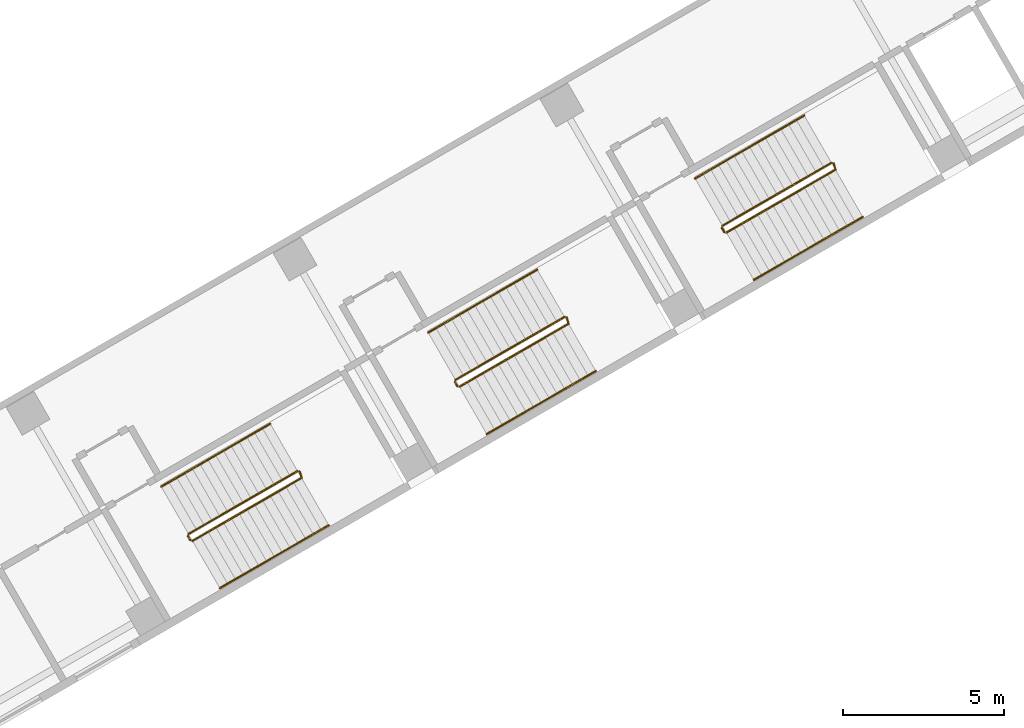
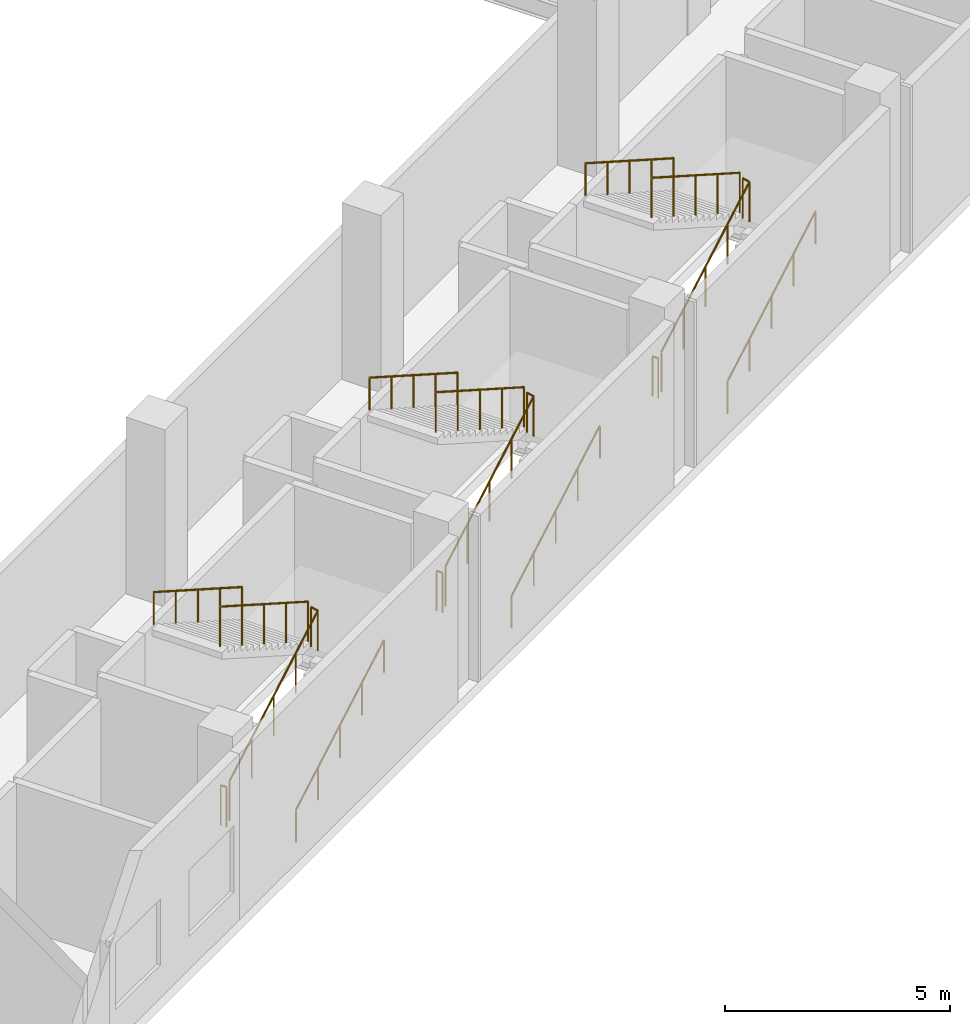
# One storey, part 27 of 28: 15 railings.
"""IFC4 building model written with IfcOpenShell, lengths in metres."""

from ifc_helpers import new_model, si_unit, direction, frame, origin, origin_2d, place, context, subcontext, project, spatial, circle, extrude, material, type_object, element, save


model = new_model("IFC4")

# Units and contexts
model_context = context("Model", 3, precision=1e-05, world=origin(), true_north=direction((0.0, 1.0)))
body_context = subcontext(model_context, "Body", "Model", "MODEL_VIEW")
ifc_project = project(units=[si_unit("LENGTHUNIT", "METRE"), si_unit("AREAUNIT", "SQUARE_METRE"), si_unit("VOLUMEUNIT", "CUBIC_METRE"), si_unit("PLANEANGLEUNIT", "RADIAN"), si_unit("MASSUNIT", "GRAM", prefix="KILO")], contexts=[model_context])

# Site, building, storey
site_placement = place(None, origin())
site = spatial("IfcSite", under=ifc_project, at=site_placement, CompositionType="ELEMENT")
building_placement = place(site_placement, origin())
building = spatial("IfcBuilding", under=site, at=building_placement, Name="Mestral Congress Tower", CompositionType="ELEMENT")
storey_placement = place(building_placement, frame((0.0, 0.0, 11.39990234375)))
storey = spatial("IfcBuildingStorey", under=building, at=storey_placement, Name="L02", CompositionType="ELEMENT", Elevation=11.39990234375)

# Railings
ifc_material_1 = material(Name="Steel balustrade", Category="steel")
railing_type_1 = type_object("IfcRailingType", Name="Podium stair guard 1100", PredefinedType="GUARDRAIL", material=ifc_material_1)
railing_1_placement = place(storey_placement, frame((51.889892578125, -13.919921875, 0.16015625)))
element("IfcRailing", 1, at=railing_1_placement, inside=storey, type_object=railing_type_1, Name="L02 PS-E1 stair guard 1", PredefinedType="GUARDRAIL", context=body_context, shape_type="SweptSolid", body=[
    extrude(circle(Radius=0.02392578125, at=origin_2d()), frame((0.0, 0.0, 1.076171875), z_axis=(0.751919994781, 0.434118210579, 0.496142822878), x_axis=(-0.499997407846, 0.86602690036, 0.0)), (0.0, 0.0, 1.0), 4.514892578125),
    extrude(circle(Radius=0.02392578125, at=origin_2d()), frame((3.394775390625, 1.9599609375, 3.31591796875), z_axis=(-0.274721127897, 0.961523947641, 0.0), x_axis=(-0.961523947641, -0.274721127897, 0.0)), (0.0, 0.0, 1.0), 0.2060546875),
    extrude(circle(Radius=0.02099609375, at=origin_2d()), origin(), (0.0, 0.0, 1.0), 1.052001953125),
    extrude(circle(Radius=0.02099609375, at=origin_2d()), frame((0.8486328125, 0.489990234375, 0.56005859375)), (0.0, 0.0, 1.0), 1.052001953125),
    extrude(circle(Radius=0.02099609375, at=origin_2d()), frame((1.697265625, 0.97998046875, 1.1201171875)), (0.0, 0.0, 1.0), 1.052001953125),
    extrude(circle(Radius=0.02099609375, at=origin_2d()), frame((2.546142578125, 1.469970703125, 1.679931640625)), (0.0, 0.0, 1.0), 1.052001953125),
    extrude(circle(Radius=0.02099609375, at=origin_2d()), frame((3.394775390625, 1.9599609375, 2.239990234375)), (0.0, 0.0, 1.0), 1.052001953125),
    extrude(circle(Radius=0.02099609375, at=origin_2d()), frame((3.338134765625, 2.158203125, 2.239990234375)), (0.0, 0.0, 1.0), 1.052001953125),
])
railing_2_placement = place(storey_placement, frame((55.15966796875, -11.743408203125, 2.56005859375)))
element("IfcRailing", 2, at=railing_2_placement, inside=storey, type_object=railing_type_1, Name="L02 PS-E1 stair guard 2", PredefinedType="GUARDRAIL", context=body_context, shape_type="SweptSolid", body=[
    extrude(circle(Radius=0.02392578125, at=origin_2d()), frame((0.0, 0.0, 1.076171875), z_axis=(-0.751919994781, -0.434118210579, 0.496142822878), x_axis=(0.499997407846, -0.86602690036, 0.0)), (0.0, 0.0, 1.0), 4.514892578125),
    extrude(circle(Radius=0.02099609375, at=origin_2d()), origin(), (0.0, 0.0, 1.0), 1.052001953125),
    extrude(circle(Radius=0.02099609375, at=origin_2d()), frame((-0.8486328125, -0.489990234375, 0.56005859375)), (0.0, 0.0, 1.0), 1.052001953125),
    extrude(circle(Radius=0.02099609375, at=origin_2d()), frame((-1.697265625, -0.97998046875, 1.1201171875)), (0.0, 0.0, 1.0), 1.052001953125),
    extrude(circle(Radius=0.02099609375, at=origin_2d()), frame((-2.546142578125, -1.469970703125, 1.679931640625)), (0.0, 0.0, 1.0), 1.052001953125),
    extrude(circle(Radius=0.02099609375, at=origin_2d()), frame((-3.394775390625, -1.9599609375, 2.239990234375)), (0.0, 0.0, 1.0), 1.052001953125),
])
railing_3_placement = place(storey_placement, frame((51.821533203125, -13.901611328125, 0.0)))
element("IfcRailing", 3, at=railing_3_placement, inside=storey, type_object=railing_type_1, Name="L02 PS-E1 stair guard 3", PredefinedType="GUARDRAIL", context=body_context, shape_type="SweptSolid", body=[
    extrude(circle(Radius=0.02392578125, at=origin_2d()), frame((0.0, 0.0, 1.076171875), z_axis=(-0.499816412211, 0.866131372301, 0.0), x_axis=(-0.866131372301, -0.499816412211, 0.0)), (0.0, 0.0, 1.0), 0.14990234375),
    extrude(circle(Radius=0.02099609375, at=origin_2d()), origin(), (0.0, 0.0, 1.0), 1.052001953125),
    extrude(circle(Radius=0.02099609375, at=origin_2d()), frame((-0.074951171875, 0.1298828125, 0.0)), (0.0, 0.0, 1.0), 1.052001953125),
])
railing_4_placement = place(storey_placement, frame((60.203857421875, -9.119873046875, 0.16015625)))
element("IfcRailing", 4, at=railing_4_placement, inside=storey, type_object=railing_type_1, Name="L02 PS-E2 stair guard 1", PredefinedType="GUARDRAIL", context=body_context, shape_type="SweptSolid", body=[
    extrude(circle(Radius=0.02392578125, at=origin_2d()), frame((0.0, 0.0, 1.076171875), z_axis=(0.751919994781, 0.434118210579, 0.496142822878), x_axis=(-0.499997407846, 0.86602690036, 0.0)), (0.0, 0.0, 1.0), 4.514892578125),
    extrude(circle(Radius=0.02392578125, at=origin_2d()), frame((3.394775390625, 1.9599609375, 3.31591796875), z_axis=(-0.275815366736, 0.96121063429, 0.0), x_axis=(-0.96121063429, -0.275815366736, 0.0)), (0.0, 0.0, 1.0), 0.206298828125),
    extrude(circle(Radius=0.02099609375, at=origin_2d()), origin(), (0.0, 0.0, 1.0), 1.052001953125),
    extrude(circle(Radius=0.02099609375, at=origin_2d()), frame((0.8486328125, 0.489990234375, 0.56005859375)), (0.0, 0.0, 1.0), 1.052001953125),
    extrude(circle(Radius=0.02099609375, at=origin_2d()), frame((1.697265625, 0.97998046875, 1.1201171875)), (0.0, 0.0, 1.0), 1.052001953125),
    extrude(circle(Radius=0.02099609375, at=origin_2d()), frame((2.546142578125, 1.469970703125, 1.679931640625)), (0.0, 0.0, 1.0), 1.052001953125),
    extrude(circle(Radius=0.02099609375, at=origin_2d()), frame((3.394775390625, 1.9599609375, 2.239990234375)), (0.0, 0.0, 1.0), 1.052001953125),
    extrude(circle(Radius=0.02099609375, at=origin_2d()), frame((3.337890625, 2.158203125, 2.239990234375)), (0.0, 0.0, 1.0), 1.052001953125),
])
railing_5_placement = place(storey_placement, frame((63.4736328125, -6.943359375, 2.56005859375)))
element("IfcRailing", 5, at=railing_5_placement, inside=storey, type_object=railing_type_1, Name="L02 PS-E2 stair guard 2", PredefinedType="GUARDRAIL", context=body_context, shape_type="SweptSolid", body=[
    extrude(circle(Radius=0.02392578125, at=origin_2d()), frame((0.0, 0.0, 1.076171875), z_axis=(-0.751902342857, -0.434162093549, 0.496131175528), x_axis=(0.500044117093, -0.865999931271, 0.0)), (0.0, 0.0, 1.0), 4.514892578125),
    extrude(circle(Radius=0.02099609375, at=origin_2d()), origin(), (0.0, 0.0, 1.0), 1.052001953125),
    extrude(circle(Radius=0.02099609375, at=origin_2d()), frame((-0.8486328125, -0.489990234375, 0.56005859375)), (0.0, 0.0, 1.0), 1.052001953125),
    extrude(circle(Radius=0.02099609375, at=origin_2d()), frame((-1.697265625, -0.97998046875, 1.1201171875)), (0.0, 0.0, 1.0), 1.052001953125),
    extrude(circle(Radius=0.02099609375, at=origin_2d()), frame((-2.546142578125, -1.47021484375, 1.679931640625)), (0.0, 0.0, 1.0), 1.052001953125),
    extrude(circle(Radius=0.02099609375, at=origin_2d()), frame((-3.394775390625, -1.960205078125, 2.239990234375)), (0.0, 0.0, 1.0), 1.052001953125),
])
railing_6_placement = place(storey_placement, frame((60.135498046875, -9.1015625, 0.0)))
element("IfcRailing", 6, at=railing_6_placement, inside=storey, type_object=railing_type_1, Name="L02 PS-E2 stair guard 3", PredefinedType="GUARDRAIL", context=body_context, shape_type="SweptSolid", body=[
    extrude(circle(Radius=0.02392578125, at=origin_2d()), frame((0.0, 0.0, 1.076171875), z_axis=(-0.499816412211, 0.866131372301, 0.0), x_axis=(-0.866131372301, -0.499816412211, 0.0)), (0.0, 0.0, 1.0), 0.14990234375),
    extrude(circle(Radius=0.02099609375, at=origin_2d()), origin(), (0.0, 0.0, 1.0), 1.052001953125),
    extrude(circle(Radius=0.02099609375, at=origin_2d()), frame((-0.074951171875, 0.1298828125, 0.0)), (0.0, 0.0, 1.0), 1.052001953125),
])
railing_7_placement = place(storey_placement, frame((68.517578125, -4.320068359375, 0.16015625)))
element("IfcRailing", 7, at=railing_7_placement, inside=storey, type_object=railing_type_1, Name="L02 PS-E3 stair guard 1", PredefinedType="GUARDRAIL", context=body_context, shape_type="SweptSolid", body=[
    extrude(circle(Radius=0.02392578125, at=origin_2d()), frame((0.0, 0.0, 1.076171875), z_axis=(0.751902342857, 0.434162093549, 0.496131175528), x_axis=(-0.500044117093, 0.865999931271, 0.0)), (0.0, 0.0, 1.0), 4.514892578125),
    extrude(circle(Radius=0.02392578125, at=origin_2d()), frame((3.394775390625, 1.960205078125, 3.31591796875), z_axis=(-0.275034262293, 0.961434425515, 0.0), x_axis=(-0.961434425515, -0.275034262293, 0.0)), (0.0, 0.0, 1.0), 0.2060546875),
    extrude(circle(Radius=0.02099609375, at=origin_2d()), origin(), (0.0, 0.0, 1.0), 1.052001953125),
    extrude(circle(Radius=0.02099609375, at=origin_2d()), frame((0.8486328125, 0.489990234375, 0.56005859375)), (0.0, 0.0, 1.0), 1.052001953125),
    extrude(circle(Radius=0.02099609375, at=origin_2d()), frame((1.697265625, 0.97998046875, 1.1201171875)), (0.0, 0.0, 1.0), 1.052001953125),
    extrude(circle(Radius=0.02099609375, at=origin_2d()), frame((2.546142578125, 1.47021484375, 1.679931640625)), (0.0, 0.0, 1.0), 1.052001953125),
    extrude(circle(Radius=0.02099609375, at=origin_2d()), frame((3.394775390625, 1.960205078125, 2.239990234375)), (0.0, 0.0, 1.0), 1.052001953125),
    extrude(circle(Radius=0.02099609375, at=origin_2d()), frame((3.338134765625, 2.158203125, 2.239990234375)), (0.0, 0.0, 1.0), 1.052001953125),
])
railing_8_placement = place(storey_placement, frame((71.787353515625, -2.1435546875, 2.56005859375)))
element("IfcRailing", 8, at=railing_8_placement, inside=storey, type_object=railing_type_1, Name="L02 PS-E3 stair guard 2", PredefinedType="GUARDRAIL", context=body_context, shape_type="SweptSolid", body=[
    extrude(circle(Radius=0.02392578125, at=origin_2d()), frame((0.0, 0.0, 1.076171875), z_axis=(-0.751919994781, -0.434118210579, 0.496142822878), x_axis=(0.499997407846, -0.86602690036, 0.0)), (0.0, 0.0, 1.0), 4.514892578125),
    extrude(circle(Radius=0.02099609375, at=origin_2d()), origin(), (0.0, 0.0, 1.0), 1.052001953125),
    extrude(circle(Radius=0.02099609375, at=origin_2d()), frame((-0.8486328125, -0.489990234375, 0.56005859375)), (0.0, 0.0, 1.0), 1.052001953125),
    extrude(circle(Radius=0.02099609375, at=origin_2d()), frame((-1.697265625, -0.97998046875, 1.1201171875)), (0.0, 0.0, 1.0), 1.052001953125),
    extrude(circle(Radius=0.02099609375, at=origin_2d()), frame((-2.546142578125, -1.469970703125, 1.679931640625)), (0.0, 0.0, 1.0), 1.052001953125),
    extrude(circle(Radius=0.02099609375, at=origin_2d()), frame((-3.394775390625, -1.9599609375, 2.239990234375)), (0.0, 0.0, 1.0), 1.052001953125),
])
railing_9_placement = place(storey_placement, frame((68.44921875, -4.3017578125, 0.0)))
element("IfcRailing", 9, at=railing_9_placement, inside=storey, type_object=railing_type_1, Name="L02 PS-E3 stair guard 3", PredefinedType="GUARDRAIL", context=body_context, shape_type="SweptSolid", body=[
    extrude(circle(Radius=0.02392578125, at=origin_2d()), frame((0.0, 0.0, 1.076171875), z_axis=(-0.499112439033, 0.866537231285, 0.0), x_axis=(-0.866537231285, -0.499112439033, 0.0)), (0.0, 0.0, 1.0), 0.150146484375),
    extrude(circle(Radius=0.02099609375, at=origin_2d()), origin(), (0.0, 0.0, 1.0), 1.052001953125),
    extrude(circle(Radius=0.02099609375, at=origin_2d()), frame((-0.074951171875, 0.130126953125, 0.0)), (0.0, 0.0, 1.0), 1.052001953125),
])
ifc_material_2 = material(Name="Steel handrail", Category="steel")
railing_type_2 = type_object("IfcRailingType", Name="Podium stair handrail 900", PredefinedType="HANDRAIL", material=ifc_material_2)
railing_10_placement = place(storey_placement, frame((52.739990234375, -15.39208984375, 0.16015625)))
element("IfcRailing", 10, at=railing_10_placement, inside=storey, type_object=railing_type_2, Name="L02 PS-E1 stair handrail 1", PredefinedType="HANDRAIL", context=body_context, shape_type="SweptSolid", body=[
    extrude(circle(Radius=0.02392578125, at=origin_2d()), frame((0.0, 0.0, 0.8759765625), z_axis=(0.751919994781, 0.434118210579, 0.496142822878), x_axis=(-0.499997407846, 0.86602690036, 0.0)), (0.0, 0.0, 1.0), 4.514892578125),
    extrude(circle(Radius=0.02099609375, at=origin_2d()), origin(), (0.0, 0.0, 1.0), 0.851806640625),
    extrude(circle(Radius=0.02099609375, at=origin_2d()), frame((0.8486328125, 0.489990234375, 0.56005859375)), (0.0, 0.0, 1.0), 0.851806640625),
    extrude(circle(Radius=0.02099609375, at=origin_2d()), frame((1.697265625, 0.97998046875, 1.1201171875)), (0.0, 0.0, 1.0), 0.851806640625),
    extrude(circle(Radius=0.02099609375, at=origin_2d()), frame((2.546142578125, 1.469970703125, 1.679931640625)), (0.0, 0.0, 1.0), 0.851806640625),
    extrude(circle(Radius=0.02099609375, at=origin_2d()), frame((3.394775390625, 1.9599609375, 2.239990234375)), (0.0, 0.0, 1.0), 0.851806640625),
])
railing_11_placement = place(storey_placement, frame((54.309814453125, -10.271240234375, 2.56005859375)))
element("IfcRailing", 11, at=railing_11_placement, inside=storey, type_object=railing_type_2, Name="L02 PS-E1 stair handrail 2", PredefinedType="HANDRAIL", context=body_context, shape_type="SweptSolid", body=[
    extrude(circle(Radius=0.02392578125, at=origin_2d()), frame((0.0, 0.0, 0.8759765625), z_axis=(-0.751919994781, -0.434118210579, 0.496142822878), x_axis=(0.499997407846, -0.86602690036, 0.0)), (0.0, 0.0, 1.0), 4.514892578125),
    extrude(circle(Radius=0.02099609375, at=origin_2d()), origin(), (0.0, 0.0, 1.0), 0.851806640625),
    extrude(circle(Radius=0.02099609375, at=origin_2d()), frame((-0.8486328125, -0.489990234375, 0.56005859375)), (0.0, 0.0, 1.0), 0.851806640625),
    extrude(circle(Radius=0.02099609375, at=origin_2d()), frame((-1.697265625, -0.97998046875, 1.1201171875)), (0.0, 0.0, 1.0), 0.851806640625),
    extrude(circle(Radius=0.02099609375, at=origin_2d()), frame((-2.546142578125, -1.469970703125, 1.679931640625)), (0.0, 0.0, 1.0), 0.851806640625),
    extrude(circle(Radius=0.02099609375, at=origin_2d()), frame((-3.394775390625, -1.9599609375, 2.239990234375)), (0.0, 0.0, 1.0), 0.851806640625),
])
railing_12_placement = place(storey_placement, frame((61.0537109375, -10.59228515625, 0.16015625)))
element("IfcRailing", 12, at=railing_12_placement, inside=storey, type_object=railing_type_2, Name="L02 PS-E2 stair handrail 1", PredefinedType="HANDRAIL", context=body_context, shape_type="SweptSolid", body=[
    extrude(circle(Radius=0.02392578125, at=origin_2d()), frame((0.0, 0.0, 0.8759765625), z_axis=(0.751902342857, 0.434162093549, 0.496131175528), x_axis=(-0.500044117093, 0.865999931271, 0.0)), (0.0, 0.0, 1.0), 4.514892578125),
    extrude(circle(Radius=0.02099609375, at=origin_2d()), origin(), (0.0, 0.0, 1.0), 0.851806640625),
    extrude(circle(Radius=0.02099609375, at=origin_2d()), frame((0.8486328125, 0.489990234375, 0.56005859375)), (0.0, 0.0, 1.0), 0.851806640625),
    extrude(circle(Radius=0.02099609375, at=origin_2d()), frame((1.697265625, 0.97998046875, 1.1201171875)), (0.0, 0.0, 1.0), 0.851806640625),
    extrude(circle(Radius=0.02099609375, at=origin_2d()), frame((2.546142578125, 1.47021484375, 1.679931640625)), (0.0, 0.0, 1.0), 0.851806640625),
    extrude(circle(Radius=0.02099609375, at=origin_2d()), frame((3.394775390625, 1.960205078125, 2.239990234375)), (0.0, 0.0, 1.0), 0.851806640625),
])
railing_13_placement = place(storey_placement, frame((62.62353515625, -5.47119140625, 2.56005859375)))
element("IfcRailing", 13, at=railing_13_placement, inside=storey, type_object=railing_type_2, Name="L02 PS-E2 stair handrail 2", PredefinedType="HANDRAIL", context=body_context, shape_type="SweptSolid", body=[
    extrude(circle(Radius=0.02392578125, at=origin_2d()), frame((0.0, 0.0, 0.8759765625), z_axis=(-0.751919994781, -0.434118210579, 0.496142822878), x_axis=(0.499997407846, -0.86602690036, 0.0)), (0.0, 0.0, 1.0), 4.514892578125),
    extrude(circle(Radius=0.02099609375, at=origin_2d()), origin(), (0.0, 0.0, 1.0), 0.851806640625),
    extrude(circle(Radius=0.02099609375, at=origin_2d()), frame((-0.8486328125, -0.489990234375, 0.56005859375)), (0.0, 0.0, 1.0), 0.851806640625),
    extrude(circle(Radius=0.02099609375, at=origin_2d()), frame((-1.697265625, -0.97998046875, 1.1201171875)), (0.0, 0.0, 1.0), 0.851806640625),
    extrude(circle(Radius=0.02099609375, at=origin_2d()), frame((-2.546142578125, -1.469970703125, 1.679931640625)), (0.0, 0.0, 1.0), 0.851806640625),
    extrude(circle(Radius=0.02099609375, at=origin_2d()), frame((-3.394775390625, -1.9599609375, 2.239990234375)), (0.0, 0.0, 1.0), 0.851806640625),
])
railing_14_placement = place(storey_placement, frame((69.367431640625, -5.792236328125, 0.16015625)))
element("IfcRailing", 14, at=railing_14_placement, inside=storey, type_object=railing_type_2, Name="L02 PS-E3 stair handrail 1", PredefinedType="HANDRAIL", context=body_context, shape_type="SweptSolid", body=[
    extrude(circle(Radius=0.02392578125, at=origin_2d()), frame((0.0, 0.0, 0.8759765625), z_axis=(0.751943495447, 0.434100559575, 0.496122649988), x_axis=(-0.499970440388, 0.866042469362, 0.0)), (0.0, 0.0, 1.0), 4.514892578125),
    extrude(circle(Radius=0.02099609375, at=origin_2d()), origin(), (0.0, 0.0, 1.0), 0.851806640625),
    extrude(circle(Radius=0.02099609375, at=origin_2d()), frame((0.8486328125, 0.489990234375, 0.56005859375)), (0.0, 0.0, 1.0), 0.851806640625),
    extrude(circle(Radius=0.02099609375, at=origin_2d()), frame((1.697509765625, 0.97998046875, 1.1201171875)), (0.0, 0.0, 1.0), 0.851806640625),
    extrude(circle(Radius=0.02099609375, at=origin_2d()), frame((2.54638671875, 1.469970703125, 1.679931640625)), (0.0, 0.0, 1.0), 0.851806640625),
    extrude(circle(Radius=0.02099609375, at=origin_2d()), frame((3.39501953125, 1.9599609375, 2.239990234375)), (0.0, 0.0, 1.0), 0.851806640625),
])
railing_15_placement = place(storey_placement, frame((70.937255859375, -0.671142578125, 2.56005859375)))
element("IfcRailing", 15, at=railing_15_placement, inside=storey, type_object=railing_type_2, Name="L02 PS-E3 stair handrail 2", PredefinedType="HANDRAIL", context=body_context, shape_type="SweptSolid", body=[
    extrude(circle(Radius=0.02392578125, at=origin_2d()), frame((0.0, 0.0, 0.8759765625), z_axis=(-0.751919994781, -0.434118210579, 0.496142822878), x_axis=(0.499997407846, -0.86602690036, 0.0)), (0.0, 0.0, 1.0), 4.514892578125),
    extrude(circle(Radius=0.02099609375, at=origin_2d()), origin(), (0.0, 0.0, 1.0), 0.851806640625),
    extrude(circle(Radius=0.02099609375, at=origin_2d()), frame((-0.8486328125, -0.489990234375, 0.56005859375)), (0.0, 0.0, 1.0), 0.851806640625),
    extrude(circle(Radius=0.02099609375, at=origin_2d()), frame((-1.697265625, -0.97998046875, 1.1201171875)), (0.0, 0.0, 1.0), 0.851806640625),
    extrude(circle(Radius=0.02099609375, at=origin_2d()), frame((-2.546142578125, -1.469970703125, 1.679931640625)), (0.0, 0.0, 1.0), 0.851806640625),
    extrude(circle(Radius=0.02099609375, at=origin_2d()), frame((-3.394775390625, -1.9599609375, 2.239990234375)), (0.0, 0.0, 1.0), 0.851806640625),
])

save(model, "model.ifc")
